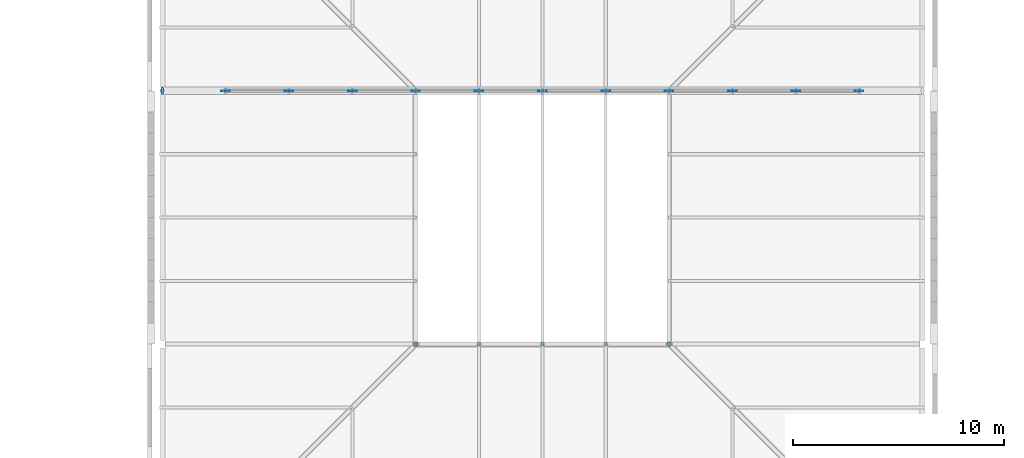
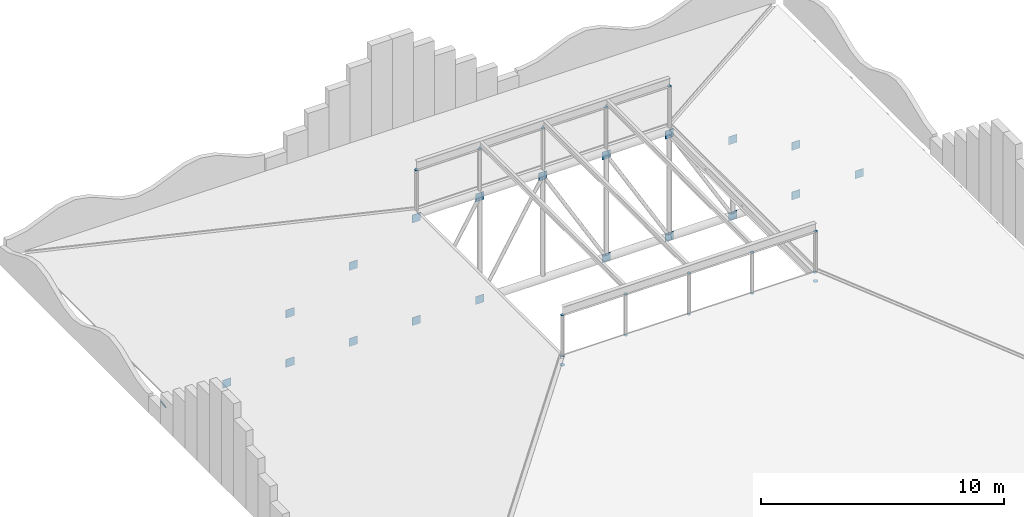
# One storey, part 311 of 321: 37 discrete accessories.
"""IFC4 building model written with IfcOpenShell, lengths in metres."""

import ifcopenshell
import ifcopenshell.guid

model = None  # the IFC model being written
_history = None  # IfcOwnerHistory: only IFC2X3 demands one
_inside = {}  # id of a spatial element -> (the spatial element, [elements in it])
_under = {}  # id of a project, library or spatial element -> (it, [spatial elements below it])
_declared = {}  # id of a project -> (the project, [libraries it declares])
_typed = {}  # id of a type object -> (the type object, [elements of that type])
_made_of = {}  # id of a material, layer set ... -> (it, [elements and type objects made of it])


def new_model(schema):
    """Start an empty IFC model of exactly this schema.

    Asked for "IFC4X3", IfcOpenShell would pick the latest addendum, in which some entities
    have other attributes; the version numbers below select the first issue.
    IFC2X3 requires an IfcOwnerHistory on every rooted entity: one is made here for all.
    """
    global model, _history
    if schema == "IFC4X3":
        model = ifcopenshell.file(schema_version=(4, 3, 0, 0))
    else:
        model = ifcopenshell.file(schema=schema)
    _inside.clear()
    _under.clear()
    _declared.clear()
    _typed.clear()
    _made_of.clear()
    _history = None
    if model.schema == "IFC2X3":
        org = make("IfcOrganization", Name="unknown")
        user = make(
            "IfcPersonAndOrganization",
            ThePerson=make("IfcPerson", FamilyName="unknown"),
            TheOrganization=org,
        )
        app = make(
            "IfcApplication",
            ApplicationDeveloper=org,
            Version="unknown",
            ApplicationFullName="unknown",
            ApplicationIdentifier="unknown",
        )
        _history = make(
            "IfcOwnerHistory",
            OwningUser=user,
            OwningApplication=app,
            ChangeAction="ADDED",
            CreationDate=0,
        )
    return model


def make(cls, **values):
    """One entity of the class cls with the attributes given. An attribute that is None is left unset."""
    return model.create_entity(
        cls, **{name: value for name, value in values.items() if value is not None}
    )


def rooted(cls, **values):
    """An entity with a GlobalId (a new one), such as an element, a storey or a relation."""
    return make(cls, GlobalId=ifcopenshell.guid.new(), OwnerHistory=_history, **values)


def si_unit(unit_type, name, prefix=None):
    """IfcSIUnit, for example si_unit("LENGTHUNIT", "METRE", prefix="MILLI")."""
    return make("IfcSIUnit", UnitType=unit_type, Prefix=prefix, Name=name)


def assignment(units):
    """IfcUnitAssignment: the units of a project."""
    return None if units is None else make("IfcUnitAssignment", Units=units)


def point(xyz):
    """IfcCartesianPoint."""
    return None if xyz is None else make("IfcCartesianPoint", Coordinates=xyz)


def direction(xyz):
    """IfcDirection."""
    return None if xyz is None else make("IfcDirection", DirectionRatios=xyz)


def frame(location, z_axis=None, x_axis=None):
    """IfcAxis2Placement3D, a coordinate frame: its origin and axes. An axis left out is left unset."""
    return make(
        "IfcAxis2Placement3D",
        Location=point(location),
        Axis=direction(z_axis),
        RefDirection=direction(x_axis),
    )


def frame_2d(location, x_axis=None):
    """IfcAxis2Placement2D, a coordinate frame in the plane: its origin and x axis."""
    return make(
        "IfcAxis2Placement2D", Location=point(location), RefDirection=direction(x_axis)
    )


def origin():
    """The frame at (0, 0, 0) with its axes left unset."""
    return frame((0.0, 0.0, 0.0))


def origin_2d():
    """The frame at (0, 0) in the plane with its x axis left unset."""
    return frame_2d((0.0, 0.0))


def place(relative_to, where):
    """IfcLocalPlacement: puts the frame where relative to a parent placement (None: the world)."""
    return make(
        "IfcLocalPlacement", PlacementRelTo=relative_to, RelativePlacement=where
    )


def context(
    kind, dimensions, precision=None, world=None, true_north=None, identifier=None
):
    """IfcGeometricRepresentationContext, for example the 3D "Model" context."""
    return make(
        "IfcGeometricRepresentationContext",
        ContextIdentifier=identifier,
        ContextType=kind,
        CoordinateSpaceDimension=dimensions,
        Precision=precision,
        WorldCoordinateSystem=world,
        TrueNorth=true_north,
    )


def subcontext(parent, identifier, kind, view, scale=None):
    """IfcGeometricRepresentationSubContext, for example "Body" below "Model"."""
    return make(
        "IfcGeometricRepresentationSubContext",
        ContextIdentifier=identifier,
        ContextType=kind,
        ParentContext=parent,
        TargetScale=scale,
        TargetView=view,
    )


def project(units=None, contexts=None):
    """IfcProject with its units and contexts."""
    return rooted(
        "IfcProject",
        Name="project",
        RepresentationContexts=contexts,
        UnitsInContext=assignment(units),
    )


def spatial(cls, under=None, at=None, **own):
    """A site, building, storey or space (cls), placed at a placement, below another one or the project."""
    s = rooted(cls, ObjectPlacement=at, **own)
    if under is not None:
        _under.setdefault(under.id(), (under, []))[1].append(s)
    return s


def profile(cls, at=None, kind="AREA", **sizes):
    """A parametric profile (cls). Its sizes go by their IFC names, for example OverallWidth=200.0."""
    return make(cls, ProfileType=kind, Position=at, **sizes)


def rectangle(**sizes):
    """IfcRectangleProfileDef."""
    return profile("IfcRectangleProfileDef", **sizes)


def circle(**sizes):
    """IfcCircleProfileDef."""
    return profile("IfcCircleProfileDef", **sizes)


def extrude(swept, where, along, depth):
    """IfcExtrudedAreaSolid: the profile swept, set in the frame where, extruded along a direction by depth."""
    return make(
        "IfcExtrudedAreaSolid",
        SweptArea=swept,
        Position=where,
        ExtrudedDirection=direction(along),
        Depth=depth,
    )


def shape(context_of_items, identifier, shape_type, items):
    """IfcShapeRepresentation: the items that make up one representation, for example the "Body"."""
    return make(
        "IfcShapeRepresentation",
        ContextOfItems=context_of_items,
        RepresentationIdentifier=identifier,
        RepresentationType=shape_type,
        Items=items,
    )


def material(Name=None, Category=None):
    """IfcMaterial."""
    return make("IfcMaterial", Name=Name, Category=Category)


def material_profile(
    of_material, cross_section, Name=None, Category=None, Priority=None
):
    """IfcMaterialProfile: a cross section and its material."""
    return make(
        "IfcMaterialProfile",
        Name=Name,
        Material=of_material,
        Profile=cross_section,
        Priority=Priority,
        Category=Category,
    )


def profile_set(profiles, Name=None, composite=None):
    """IfcMaterialProfileSet."""
    return make(
        "IfcMaterialProfileSet",
        Name=Name,
        MaterialProfiles=profiles,
        CompositeProfile=composite,
    )


def made_of(thing, what):
    """Note that an element or type object is made of a material, layer set ...; save() writes the relation."""
    if what is not None:
        _made_of.setdefault(what.id(), (what, []))[1].append(thing)
    return thing


def type_object(cls, material=None, **own):
    """A type object (cls), such as IfcWallType, which elements share."""
    return made_of(rooted(cls, **own), material)


def element(
    cls,
    number,
    at=None,
    inside=None,
    cuts=None,
    type_object=None,
    material=None,
    context=None,
    identifier="Body",
    shape_type=None,
    held_by="IfcProductDefinitionShape",
    body=None,
    shapes=None,
    **own,
):
    """One element of the class cls, such as IfcWall. Its Tag is "e" and its number.

    at: its placement. inside: the storey or other place that contains it. cuts: it is an
    opening in that element (IfcRelVoidsElement). A single representation is given by context,
    identifier, shape_type and body (its items); several are given by shapes. held_by: the class
    of the entity that holds the representations. save() writes the other relations.
    """
    e = rooted(cls, Tag="e%d" % number, ObjectPlacement=at, **own)
    if body is not None:
        shapes = [shape(context, identifier, shape_type, body)]
    if shapes is not None:
        e.Representation = make(held_by, Representations=shapes)
    if inside is not None:
        _inside.setdefault(inside.id(), (inside, []))[1].append(e)
    if cuts is not None:
        rooted(
            "IfcRelVoidsElement", RelatingBuildingElement=cuts, RelatedOpeningElement=e
        )
    if type_object is not None:
        _typed.setdefault(type_object.id(), (type_object, []))[1].append(e)
    return made_of(e, material)


def aggregate(whole, parts):
    """IfcRelAggregates: a whole, such as a stair, and the parts it consists of."""
    return rooted("IfcRelAggregates", RelatingObject=whole, RelatedObjects=parts)


def save(model, path):
    """Write the relations noted so far, then the file.

    IfcRelAggregates (storeys below a building ...), IfcRelContainedInSpatialStructure (elements
    in a storey), IfcRelDefinesByType, IfcRelAssociatesMaterial and IfcRelDeclares: one each for
    every whole, place, type object, material and project.
    """
    for whole, parts in _under.values():
        aggregate(whole, parts)
    for where, things in _inside.values():
        rooted(
            "IfcRelContainedInSpatialStructure",
            RelatedElements=things,
            RelatingStructure=where,
        )
    for kind, things in _typed.values():
        rooted("IfcRelDefinesByType", RelatedObjects=things, RelatingType=kind)
    for what, things in _made_of.values():
        rooted("IfcRelAssociatesMaterial", RelatedObjects=things, RelatingMaterial=what)
    for by, libraries in _declared.values():
        rooted("IfcRelDeclares", RelatingContext=by, RelatedDefinitions=libraries)
    model.write(path)


model = new_model("IFC4")

# Units and contexts
model_context = context("Model", 3, precision=1e-05, world=origin(), true_north=direction((0.0, 1.0)))
body_context = subcontext(model_context, "Body", "Model", "MODEL_VIEW")
ifc_project = project(units=[si_unit("LENGTHUNIT", "METRE"), si_unit("AREAUNIT", "SQUARE_METRE"), si_unit("VOLUMEUNIT", "CUBIC_METRE"), si_unit("PLANEANGLEUNIT", "RADIAN"), si_unit("MASSUNIT", "GRAM", prefix="KILO")], contexts=[model_context])

# Site, building, storey
site_placement = place(None, origin())
site = spatial("IfcSite", under=ifc_project, at=site_placement, CompositionType="ELEMENT")
building_placement = place(site_placement, origin())
building = spatial("IfcBuilding", under=site, at=building_placement, Name="Ravi Spectrum Wholesale Market", CompositionType="ELEMENT")
storey_placement = place(building_placement, frame((0.0, 0.0, 10.800048828125)))
storey = spatial("IfcBuildingStorey", under=building, at=storey_placement, Name="L02", CompositionType="ELEMENT", Elevation=10.800048828125)

# Discrete accessories
ifc_material_1 = material(Name="Steel S355", Category="steel")
ifc_material_profile_1 = material_profile(ifc_material_1, circle(Radius=0.084228515625, at=origin_2d()))
ifc_profile_set_1 = profile_set([ifc_material_profile_1], Name="Steel S355")
discrete_accessory_type_1 = type_object("IfcDiscreteAccessoryType", Name="End plate CHS 168.3x6.3", PredefinedType="BRACKET", material=ifc_profile_set_1)
discrete_accessory_1_placement = place(storey_placement, frame((174.0, 210.0, 5.668701171875), z_axis=(0.0, 0.0, -1.0), x_axis=(1.0, 0.0, 0.0)))
element("IfcDiscreteAccessory", 1, at=discrete_accessory_1_placement, inside=storey, type_object=discrete_accessory_type_1, Name="End plate", PredefinedType="BRACKET", context=body_context, shape_type="SweptSolid", body=[
    extrude(circle(Radius=0.084228515625, at=origin_2d()), origin(), (0.0, 0.0, 1.0), 0.01220703125),
])
for number, where, z_axis, x_axis, name in (
    (2, (174.0, 210.0, 7.719970703125), (0.0, 0.0, 1.0), (1.0, 0.0, 0.0), "End plate"),
    (3, (174.0, 222.0, 7.719970703125), (0.0, 0.0, 1.0), (1.0, 0.0, 0.0), "End plate"),
):
    element("IfcDiscreteAccessory", number, at=place(storey_placement, frame(where, z_axis=z_axis, x_axis=x_axis)), inside=storey, type_object=discrete_accessory_type_1, Name=name, PredefinedType="BRACKET", context=body_context, shape_type="SweptSolid", body=[
        extrude(circle(Radius=0.084228515625, at=origin_2d()), origin(), (0.0, 0.0, 1.0), 0.011962890625),
    ])
discrete_accessory_2_placement = place(storey_placement, frame((177.0, 210.0, 5.668701171875), z_axis=(0.0, 0.0, -1.0), x_axis=(1.0, 0.0, 0.0)))
element("IfcDiscreteAccessory", 4, at=discrete_accessory_2_placement, inside=storey, type_object=discrete_accessory_type_1, Name="End plate", PredefinedType="BRACKET", context=body_context, shape_type="SweptSolid", body=[
    extrude(circle(Radius=0.084228515625, at=origin_2d()), origin(), (0.0, 0.0, 1.0), 0.01220703125),
])
for number, where, z_axis, x_axis, name in (
    (5, (177.0, 210.0, 7.719970703125), (0.0, 0.0, 1.0), (1.0, 0.0, 0.0), "End plate"),
    (6, (177.0, 222.0, 7.719970703125), (0.0, 0.0, 1.0), (1.0, 0.0, 0.0), "End plate"),
):
    element("IfcDiscreteAccessory", number, at=place(storey_placement, frame(where, z_axis=z_axis, x_axis=x_axis)), inside=storey, type_object=discrete_accessory_type_1, Name=name, PredefinedType="BRACKET", context=body_context, shape_type="SweptSolid", body=[
        extrude(circle(Radius=0.084228515625, at=origin_2d()), origin(), (0.0, 0.0, 1.0), 0.011962890625),
    ])
discrete_accessory_3_placement = place(storey_placement, frame((180.0, 210.0, 5.668701171875), z_axis=(0.0, 0.0, -1.0), x_axis=(1.0, 0.0, 0.0)))
element("IfcDiscreteAccessory", 7, at=discrete_accessory_3_placement, inside=storey, type_object=discrete_accessory_type_1, Name="End plate", PredefinedType="BRACKET", context=body_context, shape_type="SweptSolid", body=[
    extrude(circle(Radius=0.084228515625, at=origin_2d()), origin(), (0.0, 0.0, 1.0), 0.01220703125),
])
for number, where, z_axis, x_axis, name in (
    (8, (180.0, 210.0, 7.719970703125), (0.0, 0.0, 1.0), (1.0, 0.0, 0.0), "End plate"),
    (9, (180.0, 222.0, 7.719970703125), (0.0, 0.0, 1.0), (1.0, 0.0, 0.0), "End plate"),
):
    element("IfcDiscreteAccessory", number, at=place(storey_placement, frame(where, z_axis=z_axis, x_axis=x_axis)), inside=storey, type_object=discrete_accessory_type_1, Name=name, PredefinedType="BRACKET", context=body_context, shape_type="SweptSolid", body=[
        extrude(circle(Radius=0.084228515625, at=origin_2d()), origin(), (0.0, 0.0, 1.0), 0.011962890625),
    ])
discrete_accessory_4_placement = place(storey_placement, frame((183.0, 210.0, 5.668701171875), z_axis=(0.0, 0.0, -1.0), x_axis=(1.0, 0.0, 0.0)))
element("IfcDiscreteAccessory", 10, at=discrete_accessory_4_placement, inside=storey, type_object=discrete_accessory_type_1, Name="End plate", PredefinedType="BRACKET", context=body_context, shape_type="SweptSolid", body=[
    extrude(circle(Radius=0.084228515625, at=origin_2d()), origin(), (0.0, 0.0, 1.0), 0.01220703125),
])
for number, where, z_axis, x_axis, name in (
    (11, (183.0, 210.0, 7.719970703125), (0.0, 0.0, 1.0), (1.0, 0.0, 0.0), "End plate"),
    (12, (183.0, 222.0, 7.719970703125), (0.0, 0.0, 1.0), (1.0, 0.0, 0.0), "End plate"),
):
    element("IfcDiscreteAccessory", number, at=place(storey_placement, frame(where, z_axis=z_axis, x_axis=x_axis)), inside=storey, type_object=discrete_accessory_type_1, Name=name, PredefinedType="BRACKET", context=body_context, shape_type="SweptSolid", body=[
        extrude(circle(Radius=0.084228515625, at=origin_2d()), origin(), (0.0, 0.0, 1.0), 0.011962890625),
    ])
discrete_accessory_5_placement = place(storey_placement, frame((186.0, 210.0, 5.668701171875), z_axis=(0.0, 0.0, -1.0), x_axis=(1.0, 0.0, 0.0)))
element("IfcDiscreteAccessory", 13, at=discrete_accessory_5_placement, inside=storey, type_object=discrete_accessory_type_1, Name="End plate", PredefinedType="BRACKET", context=body_context, shape_type="SweptSolid", body=[
    extrude(circle(Radius=0.084228515625, at=origin_2d()), origin(), (0.0, 0.0, 1.0), 0.01220703125),
])
for number, where, z_axis, x_axis, name in (
    (14, (186.0, 210.0, 7.719970703125), (0.0, 0.0, 1.0), (1.0, 0.0, 0.0), "End plate"),
    (15, (186.0, 222.0, 7.719970703125), (0.0, 0.0, 1.0), (1.0, 0.0, 0.0), "End plate"),
):
    element("IfcDiscreteAccessory", number, at=place(storey_placement, frame(where, z_axis=z_axis, x_axis=x_axis)), inside=storey, type_object=discrete_accessory_type_1, Name=name, PredefinedType="BRACKET", context=body_context, shape_type="SweptSolid", body=[
        extrude(circle(Radius=0.084228515625, at=origin_2d()), origin(), (0.0, 0.0, 1.0), 0.011962890625),
    ])
ifc_material_2 = material(Name="Steel S355", Category="steel")
ifc_material_profile_2 = material_profile(ifc_material_2, circle(Radius=0.109619140625, at=origin_2d()))
ifc_profile_set_2 = profile_set([ifc_material_profile_2], Name="Steel S355")
discrete_accessory_type_2 = type_object("IfcDiscreteAccessoryType", Name="End plate CHS 219.1x8", PredefinedType="BRACKET", material=ifc_profile_set_2)
for number, where, z_axis, x_axis, name in (
    (16, (174.0, 210.0, 5.218505859375), (0.0, 0.0, 1.0), (1.0, 0.0, 0.0), "End plate"),
    (17, (186.0, 210.0, 5.218505859375), (0.0, 0.0, 1.0), (1.0, 0.0, 0.0), "End plate"),
):
    element("IfcDiscreteAccessory", number, at=place(storey_placement, frame(where, z_axis=z_axis, x_axis=x_axis)), inside=storey, type_object=discrete_accessory_type_2, Name=name, PredefinedType="BRACKET", context=body_context, shape_type="SweptSolid", body=[
        extrude(circle(Radius=0.109619140625, at=origin_2d()), origin(), (0.0, 0.0, 1.0), 0.01220703125),
    ])
ifc_material_3 = material(Name="Steel S355", Category="steel")
ifc_material_profile_3 = material_profile(ifc_material_3, circle(Radius=0.177734375, at=origin_2d()))
ifc_profile_set_3 = profile_set([ifc_material_profile_3], Name="Steel S355")
discrete_accessory_type_3 = type_object("IfcDiscreteAccessoryType", Name="End plate CHS 355.6x12.5", PredefinedType="BRACKET", material=ifc_profile_set_3)
discrete_accessory_6_placement = place(storey_placement, frame((162.0, 222.0, 0.161865234375), z_axis=(-0.91381154862, 0.0, -0.406138466053), x_axis=(0.0, -1.0, 0.0)))
element("IfcDiscreteAccessory", 18, at=discrete_accessory_6_placement, inside=storey, type_object=discrete_accessory_type_3, Name="End plate", PredefinedType="BRACKET", context=body_context, shape_type="SweptSolid", body=[
    extrude(circle(Radius=0.177734375, at=origin_2d()), origin(), (0.0, 0.0, 1.0), 0.011962890625),
])
ifc_material_4 = material(Name="Steel S355", Category="steel")
ifc_material_profile_4 = material_profile(ifc_material_4, rectangle(XDim=0.39990234375, YDim=0.02001953125, at=origin_2d()))
ifc_profile_set_4 = profile_set([ifc_material_profile_4], Name="Steel S355")
discrete_accessory_type_4 = type_object("IfcDiscreteAccessoryType", Name="Gusset plate 400x400x20", PredefinedType="BRACKET", material=ifc_profile_set_4)
for number, where, z_axis, x_axis, name in (
    (19, (165.0, 222.0, -0.022216796875), (0.0, 0.0, 1.0), (1.0, 0.0, 0.0), "Gusset plate"),
    (20, (168.0, 222.0, -0.022216796875), (0.0, 0.0, 1.0), (1.0, 0.0, 0.0), "Gusset plate"),
):
    element("IfcDiscreteAccessory", number, at=place(storey_placement, frame(where, z_axis=z_axis, x_axis=x_axis)), inside=storey, type_object=discrete_accessory_type_4, Name=name, PredefinedType="BRACKET", context=body_context, shape_type="SweptSolid", body=[
        extrude(rectangle(XDim=0.39990234375, YDim=0.02001953125, at=origin_2d()), origin(), (0.0, 0.0, 1.0), 0.39990234375),
    ])
discrete_accessory_7_placement = place(storey_placement, frame((168.0, 222.0, 2.4541015625), z_axis=(0.0, 0.0, 1.0), x_axis=(1.0, 0.0, 0.0)))
element("IfcDiscreteAccessory", 21, at=discrete_accessory_7_placement, inside=storey, type_object=discrete_accessory_type_4, Name="Gusset plate", PredefinedType="BRACKET", context=body_context, shape_type="SweptSolid", body=[
    extrude(rectangle(XDim=0.39990234375, YDim=0.02001953125, at=origin_2d()), origin(), (0.0, 0.0, 1.0), 0.400146484375),
])
for number, where, z_axis, x_axis, name in (
    (22, (171.0, 222.0, -0.022216796875), (0.0, 0.0, 1.0), (1.0, 0.0, 0.0), "Gusset plate"),
    (23, (171.0, 222.0, 3.789306640625), (0.0, 0.0, 1.0), (1.0, 0.0, 0.0), "Gusset plate"),
    (24, (174.0, 222.0, -0.022216796875), (0.0, 0.0, 1.0), (1.0, 0.0, 0.0), "Gusset plate"),
):
    element("IfcDiscreteAccessory", number, at=place(storey_placement, frame(where, z_axis=z_axis, x_axis=x_axis)), inside=storey, type_object=discrete_accessory_type_4, Name=name, PredefinedType="BRACKET", context=body_context, shape_type="SweptSolid", body=[
        extrude(rectangle(XDim=0.39990234375, YDim=0.02001953125, at=origin_2d()), origin(), (0.0, 0.0, 1.0), 0.39990234375),
    ])
discrete_accessory_8_placement = place(storey_placement, frame((174.0, 222.0, 5.124267578125), z_axis=(0.0, 0.0, 1.0), x_axis=(1.0, 0.0, 0.0)))
element("IfcDiscreteAccessory", 25, at=discrete_accessory_8_placement, inside=storey, type_object=discrete_accessory_type_4, Name="Gusset plate", PredefinedType="BRACKET", context=body_context, shape_type="SweptSolid", body=[
    extrude(rectangle(XDim=0.39990234375, YDim=0.02001953125, at=origin_2d()), origin(), (0.0, 0.0, 1.0), 0.400146484375),
])
discrete_accessory_9_placement = place(storey_placement, frame((177.0, 222.0, -0.022216796875), z_axis=(0.0, 0.0, 1.0), x_axis=(1.0, 0.0, 0.0)))
element("IfcDiscreteAccessory", 26, at=discrete_accessory_9_placement, inside=storey, type_object=discrete_accessory_type_4, Name="Gusset plate", PredefinedType="BRACKET", context=body_context, shape_type="SweptSolid", body=[
    extrude(rectangle(XDim=0.39990234375, YDim=0.02001953125, at=origin_2d()), origin(), (0.0, 0.0, 1.0), 0.39990234375),
])
for number, where, z_axis, x_axis, name in (
    (27, (177.0, 222.0, 5.124267578125), (0.0, 0.0, 1.0), (1.0, 0.0, 0.0), "Gusset plate"),
    (28, (180.0, 222.0, 5.124267578125), (0.0, 0.0, 1.0), (1.0, 0.0, 0.0), "Gusset plate"),
):
    element("IfcDiscreteAccessory", number, at=place(storey_placement, frame(where, z_axis=z_axis, x_axis=x_axis)), inside=storey, type_object=discrete_accessory_type_4, Name=name, PredefinedType="BRACKET", context=body_context, shape_type="SweptSolid", body=[
        extrude(rectangle(XDim=0.39990234375, YDim=0.02001953125, at=origin_2d()), origin(), (0.0, 0.0, 1.0), 0.400146484375),
    ])
discrete_accessory_10_placement = place(storey_placement, frame((183.0, 222.0, -0.022216796875), z_axis=(0.0, 0.0, 1.0), x_axis=(-1.0, 0.0, 0.0)))
element("IfcDiscreteAccessory", 29, at=discrete_accessory_10_placement, inside=storey, type_object=discrete_accessory_type_4, Name="Gusset plate", PredefinedType="BRACKET", context=body_context, shape_type="SweptSolid", body=[
    extrude(rectangle(XDim=0.39990234375, YDim=0.02001953125, at=origin_2d()), origin(), (0.0, 0.0, 1.0), 0.39990234375),
])
discrete_accessory_11_placement = place(storey_placement, frame((183.0, 222.0, 5.124267578125), z_axis=(0.0, 0.0, 1.0), x_axis=(-1.0, 0.0, 0.0)))
element("IfcDiscreteAccessory", 30, at=discrete_accessory_11_placement, inside=storey, type_object=discrete_accessory_type_4, Name="Gusset plate", PredefinedType="BRACKET", context=body_context, shape_type="SweptSolid", body=[
    extrude(rectangle(XDim=0.39990234375, YDim=0.02001953125, at=origin_2d()), origin(), (0.0, 0.0, 1.0), 0.400146484375),
])
discrete_accessory_12_placement = place(storey_placement, frame((186.0, 222.0, -0.022216796875), z_axis=(0.0, 0.0, 1.0), x_axis=(-1.0, 0.0, 0.0)))
element("IfcDiscreteAccessory", 31, at=discrete_accessory_12_placement, inside=storey, type_object=discrete_accessory_type_4, Name="Gusset plate", PredefinedType="BRACKET", context=body_context, shape_type="SweptSolid", body=[
    extrude(rectangle(XDim=0.39990234375, YDim=0.02001953125, at=origin_2d()), origin(), (0.0, 0.0, 1.0), 0.39990234375),
])
discrete_accessory_13_placement = place(storey_placement, frame((186.0, 222.0, 5.124267578125), z_axis=(0.0, 0.0, 1.0), x_axis=(-1.0, 0.0, 0.0)))
element("IfcDiscreteAccessory", 32, at=discrete_accessory_13_placement, inside=storey, type_object=discrete_accessory_type_4, Name="Gusset plate", PredefinedType="BRACKET", context=body_context, shape_type="SweptSolid", body=[
    extrude(rectangle(XDim=0.39990234375, YDim=0.02001953125, at=origin_2d()), origin(), (0.0, 0.0, 1.0), 0.400146484375),
])
for number, where, z_axis, x_axis, name in (
    (33, (189.0, 222.0, -0.022216796875), (0.0, 0.0, 1.0), (-1.0, 0.0, 0.0), "Gusset plate"),
    (34, (189.0, 222.0, 3.789306640625), (0.0, 0.0, 1.0), (-1.0, 0.0, 0.0), "Gusset plate"),
    (35, (192.0, 222.0, -0.022216796875), (0.0, 0.0, 1.0), (-1.0, 0.0, 0.0), "Gusset plate"),
):
    element("IfcDiscreteAccessory", number, at=place(storey_placement, frame(where, z_axis=z_axis, x_axis=x_axis)), inside=storey, type_object=discrete_accessory_type_4, Name=name, PredefinedType="BRACKET", context=body_context, shape_type="SweptSolid", body=[
        extrude(rectangle(XDim=0.39990234375, YDim=0.02001953125, at=origin_2d()), origin(), (0.0, 0.0, 1.0), 0.39990234375),
    ])
discrete_accessory_14_placement = place(storey_placement, frame((192.0, 222.0, 2.4541015625), z_axis=(0.0, 0.0, 1.0), x_axis=(-1.0, 0.0, 0.0)))
element("IfcDiscreteAccessory", 36, at=discrete_accessory_14_placement, inside=storey, type_object=discrete_accessory_type_4, Name="Gusset plate", PredefinedType="BRACKET", context=body_context, shape_type="SweptSolid", body=[
    extrude(rectangle(XDim=0.39990234375, YDim=0.02001953125, at=origin_2d()), origin(), (0.0, 0.0, 1.0), 0.400146484375),
])
discrete_accessory_15_placement = place(storey_placement, frame((195.0, 222.0, -0.022216796875), z_axis=(0.0, 0.0, 1.0), x_axis=(-1.0, 0.0, 0.0)))
element("IfcDiscreteAccessory", 37, at=discrete_accessory_15_placement, inside=storey, type_object=discrete_accessory_type_4, Name="Gusset plate", PredefinedType="BRACKET", context=body_context, shape_type="SweptSolid", body=[
    extrude(rectangle(XDim=0.39990234375, YDim=0.02001953125, at=origin_2d()), origin(), (0.0, 0.0, 1.0), 0.39990234375),
])

save(model, "model.ifc")
